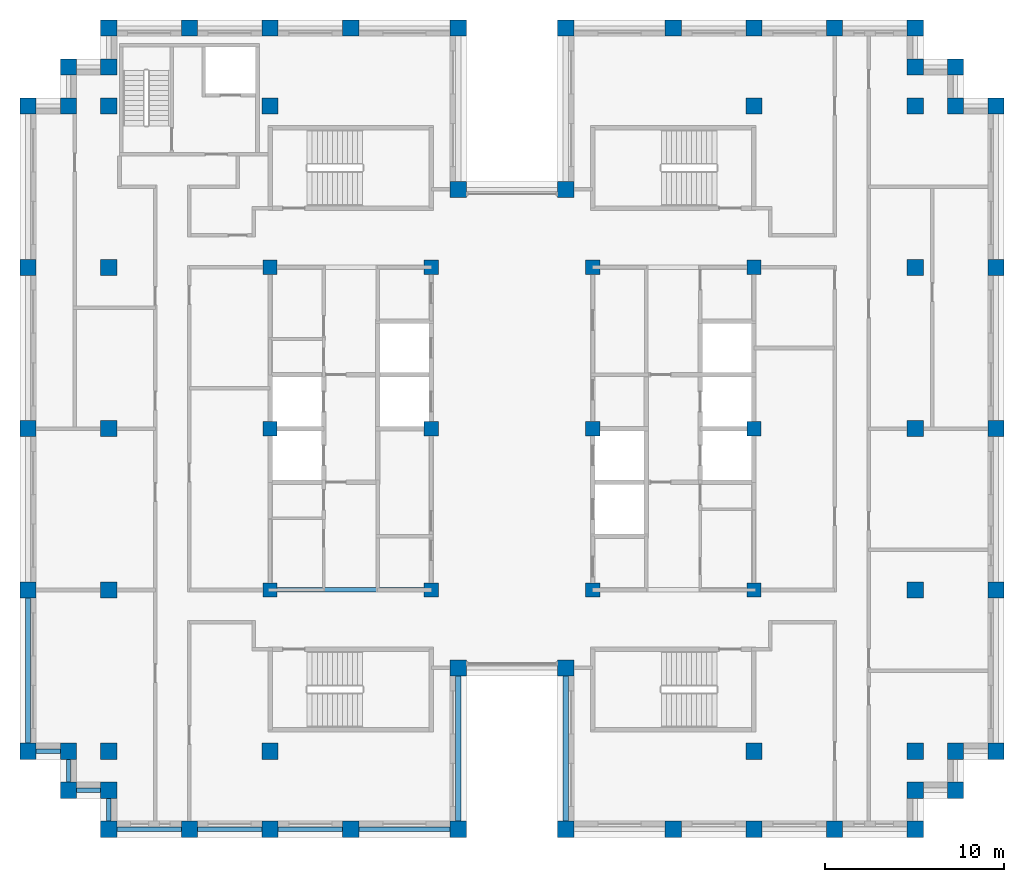
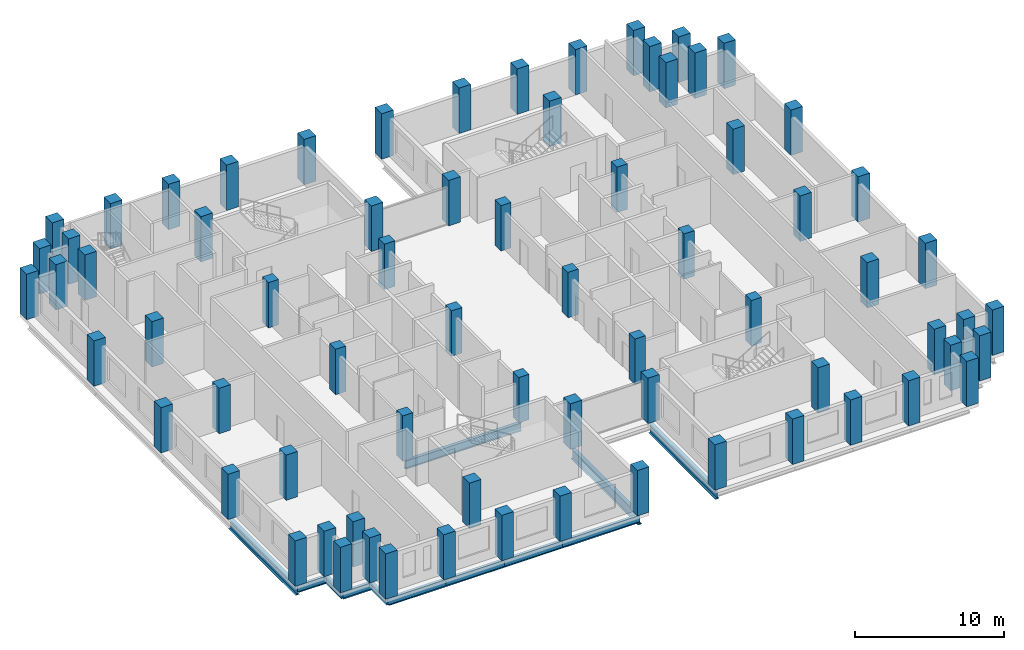
# One storey, part 1 of 13: 72 columns, 12 beams.
"""IFC4 building model written with IfcOpenShell, lengths in metres."""

from ifc_helpers import new_model, si_unit, direction, frame, origin, origin_2d, place, context, subcontext, project, spatial, rectangle, i_section, extrude, material, material_profile, profile_set, type_object, element, save


model = new_model("IFC4")

# Units and contexts
model_context = context("Model", 3, precision=1e-05, world=origin(), true_north=direction((0.0, 1.0)))
body_context = subcontext(model_context, "Body", "Model", "MODEL_VIEW")
ifc_project = project(units=[si_unit("LENGTHUNIT", "METRE"), si_unit("AREAUNIT", "SQUARE_METRE"), si_unit("VOLUMEUNIT", "CUBIC_METRE"), si_unit("PLANEANGLEUNIT", "RADIAN"), si_unit("MASSUNIT", "GRAM", prefix="KILO")], contexts=[model_context])

# Site, building, storey
site_placement = place(None, origin())
site = spatial("IfcSite", under=ifc_project, at=site_placement, CompositionType="ELEMENT")
building_placement = place(site_placement, origin())
building = spatial("IfcBuilding", under=site, at=building_placement, Name="Corbelhall Arena Tower", CompositionType="ELEMENT")
storey_placement = place(building_placement, frame((0.0, 0.0, 246.0)))
storey = spatial("IfcBuildingStorey", under=building, at=storey_placement, Name="L52", CompositionType="ELEMENT", Elevation=246.0)

# Columns
ifc_material_1 = material(Name="Concrete C80/95", Category="concrete")
ifc_material_profile_1 = material_profile(ifc_material_1, rectangle(XDim=0.800048828125, YDim=0.800048828125, at=origin_2d()))
ifc_profile_set_1 = profile_set([ifc_material_profile_1], Name="Concrete C80/95")
column_type_1 = type_object("IfcColumnType", Name="ST-COL-RC 800x800", PredefinedType="COLUMN", material=ifc_profile_set_1)
for number, where, z_axis, x_axis, name in (
    (1, (4.5, 0.0, 0.0), (0.0, 0.0, 1.0), (1.0, 0.0, 0.0), "Column KE+0450+0000"),
    (2, (4.5, 9.0, 0.0), (0.0, 0.0, 1.0), (1.0, 0.0, 0.0), "Column KE+0450+0900"),
    (3, (4.5, -9.0, 0.0), (0.0, 0.0, 1.0), (1.0, 0.0, 0.0), "Column KE+0450-0900"),
    (4, (13.5, 0.0, 0.0), (0.0, 0.0, 1.0), (1.0, 0.0, 0.0), "Column KE+1350+0000"),
    (5, (13.5, 9.0, 0.0), (0.0, 0.0, 1.0), (1.0, 0.0, 0.0), "Column KE+1350+0900"),
    (6, (13.5, -9.0, 0.0), (0.0, 0.0, 1.0), (1.0, 0.0, 0.0), "Column KE+1350-0900"),
    (7, (-4.5, 0.0, 0.0), (0.0, 0.0, 1.0), (1.0, 0.0, 0.0), "Column KW-0450+0000"),
    (8, (-4.5, 9.0, 0.0), (0.0, 0.0, 1.0), (1.0, 0.0, 0.0), "Column KW-0450+0900"),
    (9, (-4.5, -9.0, 0.0), (0.0, 0.0, 1.0), (1.0, 0.0, 0.0), "Column KW-0450-0900"),
    (10, (-13.5, 0.0, 0.0), (0.0, 0.0, 1.0), (1.0, 0.0, 0.0), "Column KW-1350+0000"),
    (11, (-13.5, 9.0, 0.0), (0.0, 0.0, 1.0), (1.0, 0.0, 0.0), "Column KW-1350+0900"),
    (12, (-13.5, -9.0, 0.0), (0.0, 0.0, 1.0), (1.0, 0.0, 0.0), "Column KW-1350-0900"),
):
    element("IfcColumn", number, at=place(storey_placement, frame(where, z_axis=z_axis, x_axis=x_axis)), inside=storey, type_object=column_type_1, Name=name, PredefinedType="COLUMN", context=body_context, shape_type="SweptSolid", body=[
        extrude(rectangle(XDim=0.800048828125, YDim=0.800048828125, at=origin_2d()), origin(), (0.0, 0.0, 1.0), 3.719970703125),
    ])
ifc_material_profile_2 = material_profile(ifc_material_1, rectangle(XDim=0.89990234375, YDim=0.89990234375, at=origin_2d()))
ifc_profile_set_2 = profile_set([ifc_material_profile_2], Name="Concrete C80/95")
column_type_2 = type_object("IfcColumnType", Name="ST-COL-RC 900x900", PredefinedType="COLUMN", material=ifc_profile_set_2)
for number, where, z_axis, x_axis, name in (
    (13, (13.5, 18.0, 0.0), (0.0, 0.0, 1.0), (1.0, 0.0, 0.0), "Column IE13+1800"),
    (14, (13.5, -18.0, 0.0), (0.0, 0.0, 1.0), (1.0, 0.0, 0.0), "Column IE13-1800"),
    (15, (22.5, 0.0, 0.0), (0.0, 0.0, 1.0), (1.0, 0.0, 0.0), "Column IE22+0000"),
    (16, (22.5, 9.0, 0.0), (0.0, 0.0, 1.0), (1.0, 0.0, 0.0), "Column IE22+0900"),
    (17, (22.5, 18.0, 0.0), (0.0, 0.0, 1.0), (1.0, 0.0, 0.0), "Column IE22+1800"),
    (18, (22.5, -9.0, 0.0), (0.0, 0.0, 1.0), (1.0, 0.0, 0.0), "Column IE22-0900"),
    (19, (22.5, -18.0, 0.0), (0.0, 0.0, 1.0), (1.0, 0.0, 0.0), "Column IE22-1800"),
    (20, (-13.5, 18.0, 0.0), (0.0, 0.0, 1.0), (1.0, 0.0, 0.0), "Column IW13+1800"),
    (21, (-13.5, -18.0, 0.0), (0.0, 0.0, 1.0), (1.0, 0.0, 0.0), "Column IW13-1800"),
    (22, (-22.5, 0.0, 0.0), (0.0, 0.0, 1.0), (1.0, 0.0, 0.0), "Column IW22+0000"),
    (23, (-22.5, 9.0, 0.0), (0.0, 0.0, 1.0), (1.0, 0.0, 0.0), "Column IW22+0900"),
    (24, (-22.5, 18.0, 0.0), (0.0, 0.0, 1.0), (1.0, 0.0, 0.0), "Column IW22+1800"),
    (25, (-22.5, -9.0, 0.0), (0.0, 0.0, 1.0), (1.0, 0.0, 0.0), "Column IW22-0900"),
    (26, (-22.5, -18.0, 0.0), (0.0, 0.0, 1.0), (1.0, 0.0, 0.0), "Column IW22-1800"),
    (27, (27.0, 0.0, 0.0), (0.0, 0.0, 1.0), (0.0, 1.0, 0.0), "Column PE+0000"),
    (28, (27.0, 9.0, 0.0), (0.0, 0.0, 1.0), (0.0, 1.0, 0.0), "Column PE+0900"),
    (29, (27.0, 18.0, 0.0), (0.0, 0.0, 1.0), (0.0, 1.0, 0.0), "Column PE+1800"),
    (30, (27.0, -9.0, 0.0), (0.0, 0.0, 1.0), (0.0, 1.0, 0.0), "Column PE-0900"),
    (31, (27.0, -18.0, 0.0), (0.0, 0.0, 1.0), (0.0, 1.0, 0.0), "Column PE-1800"),
    (32, (3.0, 22.35009765625, 0.0), (0.0, 0.0, 1.0), (1.0, 0.0, 0.0), "Column PNE0300"),
    (33, (9.0, 22.35009765625, 0.0), (0.0, 0.0, 1.0), (1.0, 0.0, 0.0), "Column PNE0900"),
    (34, (13.5, 22.35009765625, 0.0), (0.0, 0.0, 1.0), (1.0, 0.0, 0.0), "Column PNE1350"),
    (35, (18.0, 22.35009765625, 0.0), (0.0, 0.0, 1.0), (1.0, 0.0, 0.0), "Column PNE1800"),
    (36, (22.5, 22.35009765625, 0.0), (0.0, 0.0, 1.0), (1.0, 0.0, 0.0), "Column PNE2250"),
    (37, (-3.0, 22.35009765625, 0.0), (0.0, 0.0, 1.0), (1.0, 0.0, 0.0), "Column PNW0300"),
    (38, (-9.0, 22.35009765625, 0.0), (0.0, 0.0, 1.0), (1.0, 0.0, 0.0), "Column PNW0900"),
    (39, (-13.5, 22.35009765625, 0.0), (0.0, 0.0, 1.0), (1.0, 0.0, 0.0), "Column PNW1350"),
    (40, (-18.0, 22.35009765625, 0.0), (0.0, 0.0, 1.0), (1.0, 0.0, 0.0), "Column PNW1800"),
    (41, (-22.5, 22.35009765625, 0.0), (0.0, 0.0, 1.0), (1.0, 0.0, 0.0), "Column PNW2250"),
    (42, (3.0, -22.35009765625, 0.0), (0.0, 0.0, 1.0), (1.0, 0.0, 0.0), "Column PSE0300"),
    (43, (9.0, -22.35009765625, 0.0), (0.0, 0.0, 1.0), (1.0, 0.0, 0.0), "Column PSE0900"),
    (44, (13.5, -22.35009765625, 0.0), (0.0, 0.0, 1.0), (1.0, 0.0, 0.0), "Column PSE1350"),
    (45, (18.0, -22.35009765625, 0.0), (0.0, 0.0, 1.0), (1.0, 0.0, 0.0), "Column PSE1800"),
    (46, (22.5, -22.35009765625, 0.0), (0.0, 0.0, 1.0), (1.0, 0.0, 0.0), "Column PSE2250"),
    (47, (-3.0, -22.35009765625, 0.0), (0.0, 0.0, 1.0), (1.0, 0.0, 0.0), "Column PSW0300"),
    (48, (-9.0, -22.35009765625, 0.0), (0.0, 0.0, 1.0), (1.0, 0.0, 0.0), "Column PSW0900"),
    (49, (-13.5, -22.35009765625, 0.0), (0.0, 0.0, 1.0), (1.0, 0.0, 0.0), "Column PSW1350"),
    (50, (-18.0, -22.35009765625, 0.0), (0.0, 0.0, 1.0), (1.0, 0.0, 0.0), "Column PSW1800"),
    (51, (-22.5, -22.35009765625, 0.0), (0.0, 0.0, 1.0), (1.0, 0.0, 0.0), "Column PSW2250"),
    (52, (-27.0, 0.0, 0.0), (0.0, 0.0, 1.0), (0.0, 1.0, 0.0), "Column PW+0000"),
    (53, (-27.0, 9.0, 0.0), (0.0, 0.0, 1.0), (0.0, 1.0, 0.0), "Column PW+0900"),
    (54, (-27.0, 18.0, 0.0), (0.0, 0.0, 1.0), (0.0, 1.0, 0.0), "Column PW+1800"),
    (55, (-27.0, -9.0, 0.0), (0.0, 0.0, 1.0), (0.0, 1.0, 0.0), "Column PW-0900"),
    (56, (-27.0, -18.0, 0.0), (0.0, 0.0, 1.0), (0.0, 1.0, 0.0), "Column PW-1800"),
    (57, (3.0, 13.35009765625, 0.0), (0.0, 0.0, 1.0), (1.0, 0.0, 0.0), "Column SLNE2"),
    (58, (-3.0, 13.35009765625, 0.0), (0.0, 0.0, 1.0), (1.0, 0.0, 0.0), "Column SLNW2"),
    (59, (3.0, -13.35009765625, 0.0), (0.0, 0.0, 1.0), (1.0, 0.0, 0.0), "Column SLSE2"),
    (60, (-3.0, -13.35009765625, 0.0), (0.0, 0.0, 1.0), (1.0, 0.0, 0.0), "Column SLSW2"),
    (61, (22.5, 20.175048828125, 0.0), (0.0, 0.0, 1.0), (1.0, 0.0, 0.0), "Column XNE1"),
    (62, (24.75, 20.175048828125, 0.0), (0.0, 0.0, 1.0), (1.0, 0.0, 0.0), "Column XNE2"),
    (63, (24.75, 18.0, 0.0), (0.0, 0.0, 1.0), (1.0, 0.0, 0.0), "Column XNE3"),
    (64, (-22.5, 20.175048828125, 0.0), (0.0, 0.0, 1.0), (1.0, 0.0, 0.0), "Column XNW1"),
    (65, (-24.75, 20.175048828125, 0.0), (0.0, 0.0, 1.0), (1.0, 0.0, 0.0), "Column XNW2"),
    (66, (-24.75, 18.0, 0.0), (0.0, 0.0, 1.0), (1.0, 0.0, 0.0), "Column XNW3"),
    (67, (22.5, -20.175048828125, 0.0), (0.0, 0.0, 1.0), (1.0, 0.0, 0.0), "Column XSE1"),
    (68, (24.75, -20.175048828125, 0.0), (0.0, 0.0, 1.0), (1.0, 0.0, 0.0), "Column XSE2"),
    (69, (24.75, -18.0, 0.0), (0.0, 0.0, 1.0), (1.0, 0.0, 0.0), "Column XSE3"),
    (70, (-22.5, -20.175048828125, 0.0), (0.0, 0.0, 1.0), (1.0, 0.0, 0.0), "Column XSW1"),
    (71, (-24.75, -20.175048828125, 0.0), (0.0, 0.0, 1.0), (1.0, 0.0, 0.0), "Column XSW2"),
    (72, (-24.75, -18.0, 0.0), (0.0, 0.0, 1.0), (1.0, 0.0, 0.0), "Column XSW3"),
):
    element("IfcColumn", number, at=place(storey_placement, frame(where, z_axis=z_axis, x_axis=x_axis)), inside=storey, type_object=column_type_2, Name=name, PredefinedType="COLUMN", context=body_context, shape_type="SweptSolid", body=[
        extrude(rectangle(XDim=0.89990234375, YDim=0.89990234375, at=origin_2d()), origin(), (0.0, 0.0, 1.0), 3.719970703125),
    ])

# Beams
ifc_material_2 = material(Name="Steel ASTM A992 Gr50", Category="steel")
ifc_material_profile_3 = material_profile(ifc_material_2, i_section(OverallWidth=0.25390625, OverallDepth=0.67822265625, WebThickness=0.01171875, FlangeThickness=0.016357421875, at=origin_2d()))
ifc_profile_set_3 = profile_set([ifc_material_profile_3], Name="Steel ASTM A992 Gr50")
beam_type_1 = type_object("IfcBeamType", Name="ST-BEAM-W27x84", PredefinedType="BEAM", material=ifc_profile_set_3)
beam_1_placement = place(storey_placement, frame((-13.5, -9.0, -0.619140625), z_axis=(1.0, 0.0, 0.0), x_axis=(0.0, 1.0, 0.0)))
element("IfcBeam", 73, at=beam_1_placement, inside=storey, type_object=beam_type_1, Name="Beam CEW 5", PredefinedType="BEAM", context=body_context, shape_type="SweptSolid", body=[
    extrude(i_section(OverallWidth=0.25390625, OverallDepth=0.67822265625, WebThickness=0.01171875, FlangeThickness=0.016357421875, at=origin_2d()), origin(), (0.0, 0.0, 1.0), 9.0),
])
ifc_material_profile_4 = material_profile(ifc_material_2, i_section(OverallWidth=0.227783203125, OverallDepth=0.60205078125, WebThickness=0.010498046875, FlangeThickness=0.014892578125, at=origin_2d()))
ifc_profile_set_4 = profile_set([ifc_material_profile_4], Name="Steel ASTM A992 Gr50")
beam_type_2 = type_object("IfcBeamType", Name="ST-SPANDREL-W24x68", PredefinedType="SPANDREL", material=ifc_profile_set_4)
beam_2_placement = place(storey_placement, frame((-3.0, -22.35009765625, -0.5810546875), z_axis=(-1.0, 0.0, 0.0), x_axis=(0.0, -1.0, 0.0)))
element("IfcBeam", 74, at=beam_2_placement, inside=storey, type_object=beam_type_2, Name="Beam SP 21", PredefinedType="SPANDREL", context=body_context, shape_type="SweptSolid", body=[
    extrude(i_section(OverallWidth=0.227783203125, OverallDepth=0.60205078125, WebThickness=0.010498046875, FlangeThickness=0.014892578125, at=origin_2d()), origin(), (0.0, 0.0, 1.0), 6.0),
])
for number, where, z_axis, x_axis, name in (
    (75, (-9.0, -22.35009765625, -0.5810546875), (-1.0, 0.0, 0.0), (0.0, -1.0, 0.0), "Beam SP 22"),
    (76, (-13.5, -22.35009765625, -0.5810546875), (-1.0, 0.0, 0.0), (0.0, -1.0, 0.0), "Beam SP 23"),
    (77, (-18.0, -22.35009765625, -0.5810546875), (-1.0, 0.0, 0.0), (0.0, -1.0, 0.0), "Beam SP 24"),
):
    element("IfcBeam", number, at=place(storey_placement, frame(where, z_axis=z_axis, x_axis=x_axis)), inside=storey, type_object=beam_type_2, Name=name, PredefinedType="SPANDREL", context=body_context, shape_type="SweptSolid", body=[
        extrude(i_section(OverallWidth=0.227783203125, OverallDepth=0.60205078125, WebThickness=0.010498046875, FlangeThickness=0.014892578125, at=origin_2d()), origin(), (0.0, 0.0, 1.0), 4.5),
    ])
beam_3_placement = place(storey_placement, frame((-22.5, -22.35009765625, -0.5810546875), z_axis=(0.0, 1.0, 0.0), x_axis=(-1.0, 0.0, 0.0)))
element("IfcBeam", 78, at=beam_3_placement, inside=storey, type_object=beam_type_2, Name="Beam SP 25", PredefinedType="SPANDREL", context=body_context, shape_type="SweptSolid", body=[
    extrude(i_section(OverallWidth=0.227783203125, OverallDepth=0.60205078125, WebThickness=0.010498046875, FlangeThickness=0.014892578125, at=origin_2d()), origin(), (0.0, 0.0, 1.0), 2.175048828125),
])
beam_4_placement = place(storey_placement, frame((-22.5, -20.175048828125, -0.5810546875), z_axis=(-1.0, 0.0, 0.0), x_axis=(0.0, -1.0, 0.0)))
element("IfcBeam", 79, at=beam_4_placement, inside=storey, type_object=beam_type_2, Name="Beam SP 44", PredefinedType="SPANDREL", context=body_context, shape_type="SweptSolid", body=[
    extrude(i_section(OverallWidth=0.227783203125, OverallDepth=0.60205078125, WebThickness=0.010498046875, FlangeThickness=0.014892578125, at=origin_2d()), origin(), (0.0, 0.0, 1.0), 2.25),
])
beam_5_placement = place(storey_placement, frame((-24.75, -20.175048828125, -0.5810546875), z_axis=(0.0, 1.0, 0.0), x_axis=(-1.0, 0.0, 0.0)))
element("IfcBeam", 80, at=beam_5_placement, inside=storey, type_object=beam_type_2, Name="Beam SP 45", PredefinedType="SPANDREL", context=body_context, shape_type="SweptSolid", body=[
    extrude(i_section(OverallWidth=0.227783203125, OverallDepth=0.60205078125, WebThickness=0.010498046875, FlangeThickness=0.014892578125, at=origin_2d()), origin(), (0.0, 0.0, 1.0), 2.175048828125),
])
beam_6_placement = place(storey_placement, frame((-24.75, -18.0, -0.5810546875), z_axis=(-1.0, 0.0, 0.0), x_axis=(0.0, -1.0, 0.0)))
element("IfcBeam", 81, at=beam_6_placement, inside=storey, type_object=beam_type_2, Name="Beam SP 46", PredefinedType="SPANDREL", context=body_context, shape_type="SweptSolid", body=[
    extrude(i_section(OverallWidth=0.227783203125, OverallDepth=0.60205078125, WebThickness=0.010498046875, FlangeThickness=0.014892578125, at=origin_2d()), origin(), (0.0, 0.0, 1.0), 2.25),
])
ifc_material_profile_5 = material_profile(ifc_material_2, i_section(OverallWidth=0.2919921875, OverallDepth=0.845703125, WebThickness=0.015380859375, FlangeThickness=0.0244140625, at=origin_2d()))
ifc_profile_set_5 = profile_set([ifc_material_profile_5], Name="Steel ASTM A992 Gr50")
beam_type_3 = type_object("IfcBeamType", Name="ST-SPANDREL-W33x141", PredefinedType="SPANDREL", material=ifc_profile_set_5)
for number, where, z_axis, x_axis, name in (
    (82, (3.0, -22.35009765625, -0.702880859375), (0.0, 1.0, 0.0), (-1.0, 0.0, 0.0), "Beam SP 16"),
    (83, (-27.0, -18.0, -0.702880859375), (0.0, 1.0, 0.0), (-1.0, 0.0, 0.0), "Beam SP 30"),
    (84, (-3.0, -13.35009765625, -0.702880859375), (0.0, -1.0, 0.0), (1.0, 0.0, 0.0), "Beam SP 34"),
):
    element("IfcBeam", number, at=place(storey_placement, frame(where, z_axis=z_axis, x_axis=x_axis)), inside=storey, type_object=beam_type_3, Name=name, PredefinedType="SPANDREL", context=body_context, shape_type="SweptSolid", body=[
        extrude(i_section(OverallWidth=0.2919921875, OverallDepth=0.845703125, WebThickness=0.015380859375, FlangeThickness=0.0244140625, at=origin_2d()), origin(), (0.0, 0.0, 1.0), 9.0),
    ])

save(model, "model.ifc")
